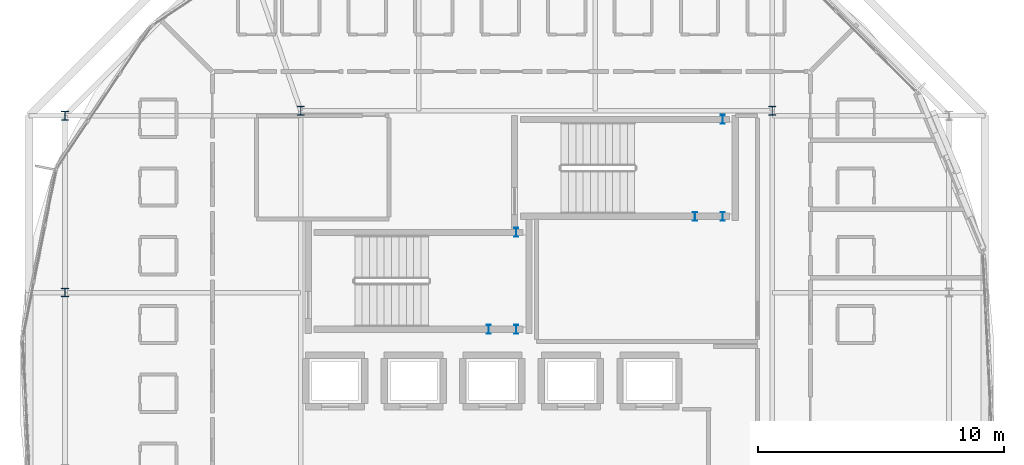
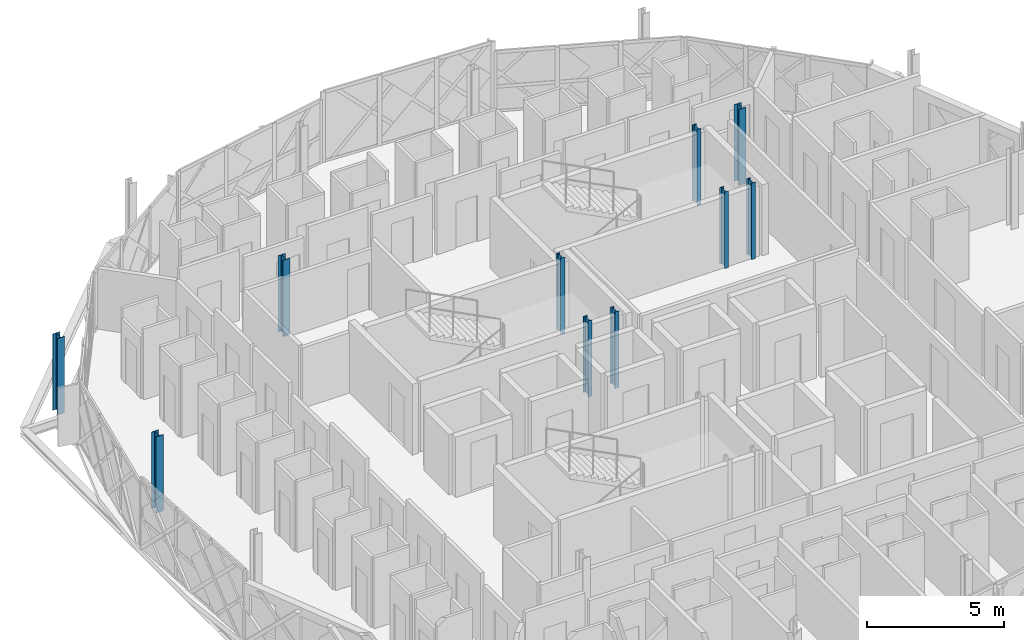
# One storey, part 3 of 24: 10 columns.
"""IFC4 building model written with IfcOpenShell, lengths in metres."""

from ifc_helpers import new_model, si_unit, direction, frame, origin, origin_2d, place, context, subcontext, project, spatial, i_section, extrude, material, material_profile, profile_set, type_object, element, save


model = new_model("IFC4")

# Units and contexts
model_context = context("Model", 3, precision=1e-05, world=origin(), true_north=direction((0.0, 1.0)))
body_context = subcontext(model_context, "Body", "Model", "MODEL_VIEW")
ifc_project = project(units=[si_unit("LENGTHUNIT", "METRE"), si_unit("AREAUNIT", "SQUARE_METRE"), si_unit("VOLUMEUNIT", "CUBIC_METRE"), si_unit("PLANEANGLEUNIT", "RADIAN"), si_unit("MASSUNIT", "GRAM", prefix="KILO")], contexts=[model_context])

# Site, building, storey
site_placement = place(None, origin())
site = spatial("IfcSite", under=ifc_project, at=site_placement, CompositionType="ELEMENT")
building_placement = place(site_placement, origin())
building = spatial("IfcBuilding", under=site, at=building_placement, Name="Zevrakil Square Congress Hotel", CompositionType="ELEMENT")
storey_placement = place(building_placement, frame((0.0, 0.0, 38.5)))
storey = spatial("IfcBuildingStorey", under=building, at=storey_placement, Name="L11", CompositionType="ELEMENT", Elevation=38.5)

# Columns
ifc_material_1 = material(Name="Steel S355", Category="steel")
ifc_material_profile_1 = material_profile(ifc_material_1, i_section(OverallWidth=0.300048828125, OverallDepth=0.360107421875, WebThickness=0.012451171875, FlangeThickness=0.0224609375, FilletRadius=0.027099609375, at=origin_2d()), Name="HEB 360")
ifc_profile_set_1 = profile_set([ifc_material_profile_1], Name="Steel S355")
column_type_1 = type_object("IfcColumnType", Name="COL-HEB360", PredefinedType="COLUMN", material=ifc_profile_set_1)
for number, where, z_axis, x_axis, name in (
    (1, (136.800048828125, 38.60009765625, 0.0), (0.0, 0.0, 1.0), (1.0, 0.0, 0.0), "L11 drum core collar column CC01"),
    (2, (156.0, 38.60009765625, 0.0), (0.0, 0.0, 1.0), (1.0, 0.0, 0.0), "L11 drum core collar column CC02"),
    (3, (127.199951171875, 38.39990234375, 0.0), (0.0, 0.0, 1.0), (1.0, 0.0, 0.0), "L11 drum column DC13"),
    (4, (127.199951171875, 31.199951171875, 0.0), (0.0, 0.0, 1.0), (1.0, 0.0, 0.0), "L11 drum column DC14"),
):
    element("IfcColumn", number, at=place(storey_placement, frame(where, z_axis=z_axis, x_axis=x_axis)), inside=storey, type_object=column_type_1, Name=name, PredefinedType="COLUMN", context=body_context, shape_type="SweptSolid", body=[
        extrude(i_section(OverallWidth=0.300048828125, OverallDepth=0.360107421875, WebThickness=0.012451171875, FlangeThickness=0.0224609375, FilletRadius=0.027099609375, at=origin_2d()), origin(), (0.0, 0.0, 1.0), 3.39990234375),
    ])
ifc_material_2 = material(Name="Steel S355", Category="steel")
ifc_material_profile_2 = material_profile(ifc_material_2, i_section(OverallWidth=0.169921875, OverallDepth=0.360107421875, WebThickness=0.008056640625, FlangeThickness=0.0126953125, FilletRadius=0.01806640625, at=origin_2d()), Name="IPE 360")
ifc_profile_set_2 = profile_set([ifc_material_profile_2], Name="Steel S355")
column_type_2 = type_object("IfcColumnType", Name="COL-PILASTER-SHS180", PredefinedType="PILASTER", material=ifc_profile_set_2)
for number, where, z_axis, x_axis, name in (
    (5, (144.449951171875, 29.699951171875, 0.0), (0.0, 0.0, 1.0), (1.0, 0.0, 0.0), "L11 ST02 stair shaft post 1"),
    (6, (145.580078125, 29.699951171875, 0.0), (0.0, 0.0, 1.0), (1.0, 0.0, 0.0), "L11 ST02 stair shaft post 2"),
    (7, (145.580078125, 33.64990234375, 0.0), (0.0, 0.0, 1.0), (1.0, 0.0, 0.0), "L11 ST02 stair shaft post 3"),
    (8, (152.85009765625, 34.300048828125, 0.0), (0.0, 0.0, 1.0), (1.0, 0.0, 0.0), "L11 ST03 stair shaft post 1"),
    (9, (153.97998046875, 34.300048828125, 0.0), (0.0, 0.0, 1.0), (1.0, 0.0, 0.0), "L11 ST03 stair shaft post 2"),
    (10, (153.97998046875, 38.25, 0.0), (0.0, 0.0, 1.0), (1.0, 0.0, 0.0), "L11 ST03 stair shaft post 3"),
):
    element("IfcColumn", number, at=place(storey_placement, frame(where, z_axis=z_axis, x_axis=x_axis)), inside=storey, type_object=column_type_2, Name=name, PredefinedType="PILASTER", context=body_context, shape_type="SweptSolid", body=[
        extrude(i_section(OverallWidth=0.169921875, OverallDepth=0.360107421875, WebThickness=0.008056640625, FlangeThickness=0.0126953125, FilletRadius=0.01806640625, at=origin_2d()), origin(), (0.0, 0.0, 1.0), 3.39990234375),
    ])

save(model, "model.ifc")
